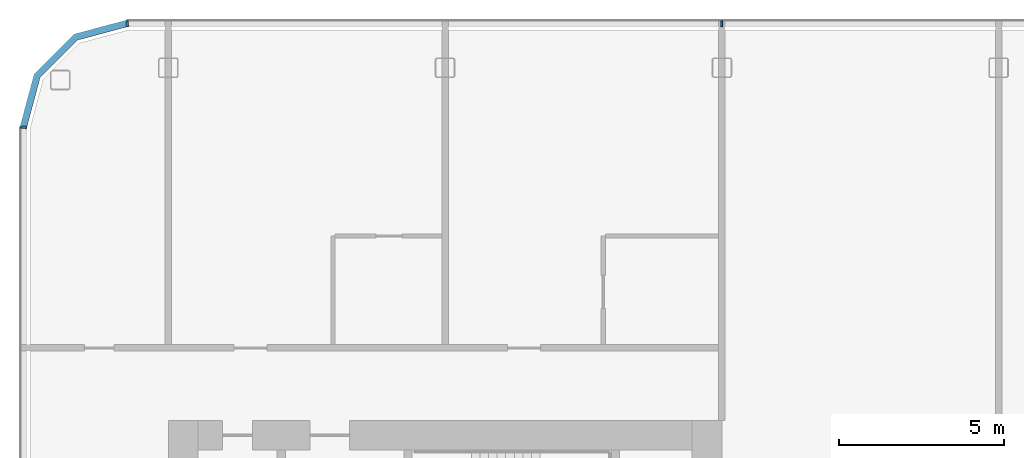
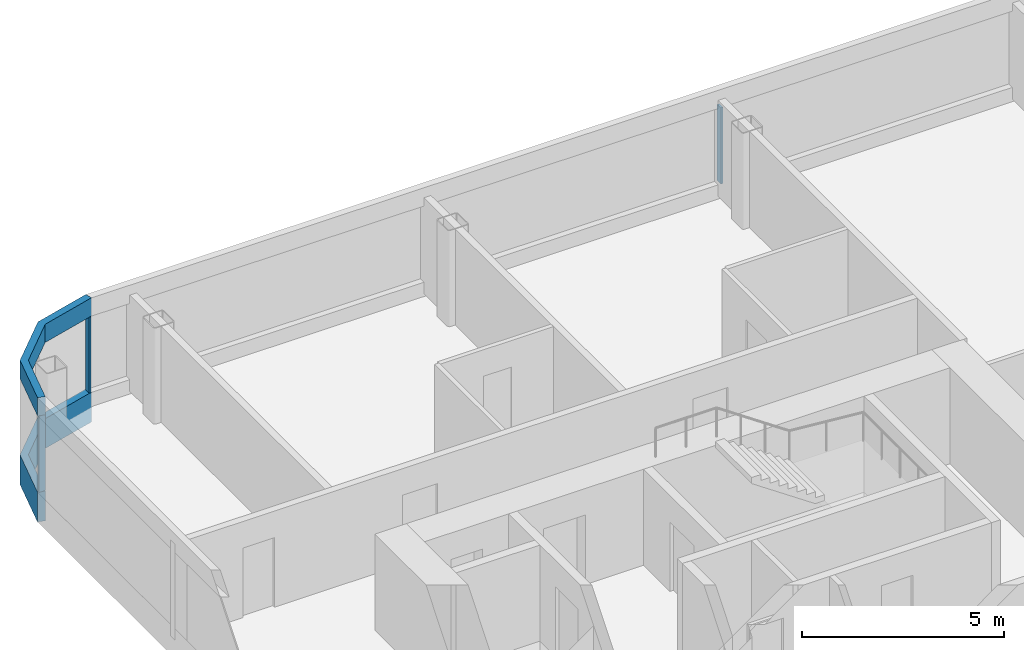
# One storey, part 6 of 26: 5 members, 3 elements without a shape of their own.
"""IFC4 building model written with IfcOpenShell, lengths in metres."""

from ifc_helpers import new_model, si_unit, direction, frame, origin, origin_2d, place, context, subcontext, project, spatial, polyline, rectangle, outline, extrude, material, layer, layer_set, material_profile, profile_set, type_object, element, aggregate, save


model = new_model("IFC4")

# Units and contexts
model_context = context("Model", 3, precision=1e-05, world=origin(), true_north=direction((0.0, 1.0)))
body_context = subcontext(model_context, "Body", "Model", "MODEL_VIEW")
ifc_project = project(units=[si_unit("LENGTHUNIT", "METRE"), si_unit("AREAUNIT", "SQUARE_METRE"), si_unit("VOLUMEUNIT", "CUBIC_METRE"), si_unit("PLANEANGLEUNIT", "RADIAN"), si_unit("MASSUNIT", "GRAM", prefix="KILO")], contexts=[model_context])

# Site, building, storey
site_placement = place(None, origin())
site = spatial("IfcSite", under=ifc_project, at=site_placement, CompositionType="ELEMENT")
building_placement = place(site_placement, origin())
building = spatial("IfcBuilding", under=site, at=building_placement, Name="Hakoniwa Tower and Hamabe Station Hall", CompositionType="ELEMENT")
storey_placement = place(building_placement, frame((0.0, 0.0, 225.0)))
storey = spatial("IfcBuildingStorey", under=building, at=storey_placement, Name="L64", CompositionType="ELEMENT", Elevation=225.0)

# Curtain wall, members
ifc_material_1 = material(Name="Dark low-e laminated glass", Category="glass")
ifc_layer = layer(ifc_material_1, 0.199951171875)
ifc_layer_set = layer_set([ifc_layer], Name="CW-1 UNITISED GUEST")
curtain_wall_type = type_object("IfcCurtainWallType", Name="CW-1 UNITISED GUEST", PredefinedType="NOTDEFINED", material=ifc_layer_set)
curtain_wall_1_placement = place(storey_placement, origin())
curtain_wall_1 = element("IfcCurtainWall", 1, at=curtain_wall_1_placement, inside=storey, type_object=curtain_wall_type, Name="CW-1 curtain wall", PredefinedType="NOTDEFINED")
ifc_material_2 = material(Name="Aluminium 6063-T5 black anodised", Category="aluminium")
ifc_material_profile_1 = material_profile(ifc_material_2, rectangle(XDim=0.199951171875, YDim=0.550048828125, at=origin_2d()), Name="CW HEAD BAND 550X200")
ifc_profile_set_1 = profile_set([ifc_material_profile_1], Name="Aluminium 6063-T5 black anodised")
member_type_1 = type_object("IfcMemberType", Name="CW HEAD BAND 550X200", PredefinedType="USERDEFINED", material=ifc_profile_set_1)
member_1_placement = place(storey_placement, frame((0.0, 0.0, 2.64990234375)))
member_1 = element("IfcMember", 2, at=member_1_placement, type_object=member_type_1, Name="CW-1 transom", ObjectType="TRANSOM", PredefinedType="USERDEFINED", context=body_context, shape_type="SweptSolid", body=[
    extrude(outline(polyline([(-34.839599609375, 20.550048828125), (-36.455322265625, 20.116943359375), (-37.6669921875, 18.9052734375), (-38.10009765625, 17.28955078125), (-37.90673828125, 17.23779296875), (-37.48779296875, 18.8017578125), (-36.351806640625, 19.937744140625), (-34.787841796875, 20.35693359375), (-34.839599609375, 20.550048828125)])), origin(), (0.0, 0.0, 1.0), 0.550048828125),
])
ifc_material_3 = material(Name="Aluminium 6063-T5 black anodised", Category="aluminium")
ifc_material_profile_2 = material_profile(ifc_material_3, rectangle(XDim=0.199951171875, YDim=0.89990234375, at=origin_2d()), Name="CW SLAB-EDGE BAND 900X200")
ifc_profile_set_2 = profile_set([ifc_material_profile_2], Name="Aluminium 6063-T5 black anodised")
member_type_2 = type_object("IfcMemberType", Name="CW SLAB-EDGE BAND 900X200", PredefinedType="USERDEFINED", material=ifc_profile_set_2)
member_2_placement = place(storey_placement, frame((0.0, 0.0, -0.550048828125)))
member_2 = element("IfcMember", 3, at=member_2_placement, type_object=member_type_2, Name="CW-1 transom", ObjectType="TRANSOM", PredefinedType="USERDEFINED", context=body_context, shape_type="SweptSolid", body=[
    extrude(outline(polyline([(-34.839599609375, 20.550048828125), (-36.455322265625, 20.116943359375), (-37.6669921875, 18.9052734375), (-38.10009765625, 17.28955078125), (-37.90673828125, 17.23779296875), (-37.48779296875, 18.8017578125), (-36.351806640625, 19.937744140625), (-34.787841796875, 20.35693359375), (-34.839599609375, 20.550048828125)])), origin(), (0.0, 0.0, 1.0), 0.900146484375),
])
aggregate(curtain_wall_1, [member_2, member_1])

curtain_wall_2_placement = place(storey_placement, origin())
curtain_wall_2 = element("IfcCurtainWall", 4, at=curtain_wall_2_placement, inside=storey, type_object=curtain_wall_type, Name="CW-1 curtain wall", PredefinedType="NOTDEFINED")
ifc_material_4 = material(Name="Aluminium 6063-T5 black anodised", Category="aluminium")
ifc_material_profile_3 = material_profile(ifc_material_4, rectangle(XDim=0.06005859375, YDim=0.179931640625, at=origin_2d()), Name="CW-1 MULLION 60X180")
ifc_profile_set_3 = profile_set([ifc_material_profile_3], Name="Aluminium 6063-T5 black anodised")
member_type_3 = type_object("IfcMemberType", Name="CW-1 MULLION 60X180", PredefinedType="MULLION", material=ifc_profile_set_3)
member_3_placement = place(storey_placement, frame((-16.800048828125, 20.431884765625, 0.35009765625), z_axis=(0.0, 0.0, 1.0), x_axis=(-1.0, 0.0, 0.0)))
member_3 = element("IfcMember", 5, at=member_3_placement, type_object=member_type_3, Name="CW-1 mullion", PredefinedType="MULLION", context=body_context, shape_type="SweptSolid", body=[
    extrude(rectangle(XDim=0.06005859375, YDim=0.179931640625, at=origin_2d()), origin(), (0.0, 0.0, 1.0), 2.2998046875),
])
member_4_placement = place(storey_placement, frame((-34.839599609375, 20.431884765625, 0.35009765625), z_axis=(0.0, 0.0, 1.0), x_axis=(-1.0, 0.0, 0.0)))
member_4 = element("IfcMember", 6, at=member_4_placement, type_object=member_type_3, Name="CW-1 mullion", PredefinedType="MULLION", context=body_context, shape_type="SweptSolid", body=[
    extrude(rectangle(XDim=0.06005859375, YDim=0.179931640625, at=origin_2d()), origin(), (0.0, 0.0, 1.0), 2.2998046875),
])
aggregate(curtain_wall_2, [member_3, member_4])

# Curtain wall, member
curtain_wall_3_placement = place(storey_placement, origin())
curtain_wall_3 = element("IfcCurtainWall", 7, at=curtain_wall_3_placement, inside=storey, type_object=curtain_wall_type, Name="CW-1 curtain wall", PredefinedType="NOTDEFINED")
member_5_placement = place(storey_placement, frame((-37.98193359375, 17.28955078125, 0.35009765625), z_axis=(0.0, 0.0, 1.0), x_axis=(0.0, -1.0, 0.0)))
member_5 = element("IfcMember", 8, at=member_5_placement, type_object=member_type_3, Name="CW-1 mullion", PredefinedType="MULLION", context=body_context, shape_type="SweptSolid", body=[
    extrude(rectangle(XDim=0.06005859375, YDim=0.179931640625, at=origin_2d()), origin(), (0.0, 0.0, 1.0), 2.2998046875),
])
aggregate(curtain_wall_3, [member_5])

save(model, "model.ifc")
